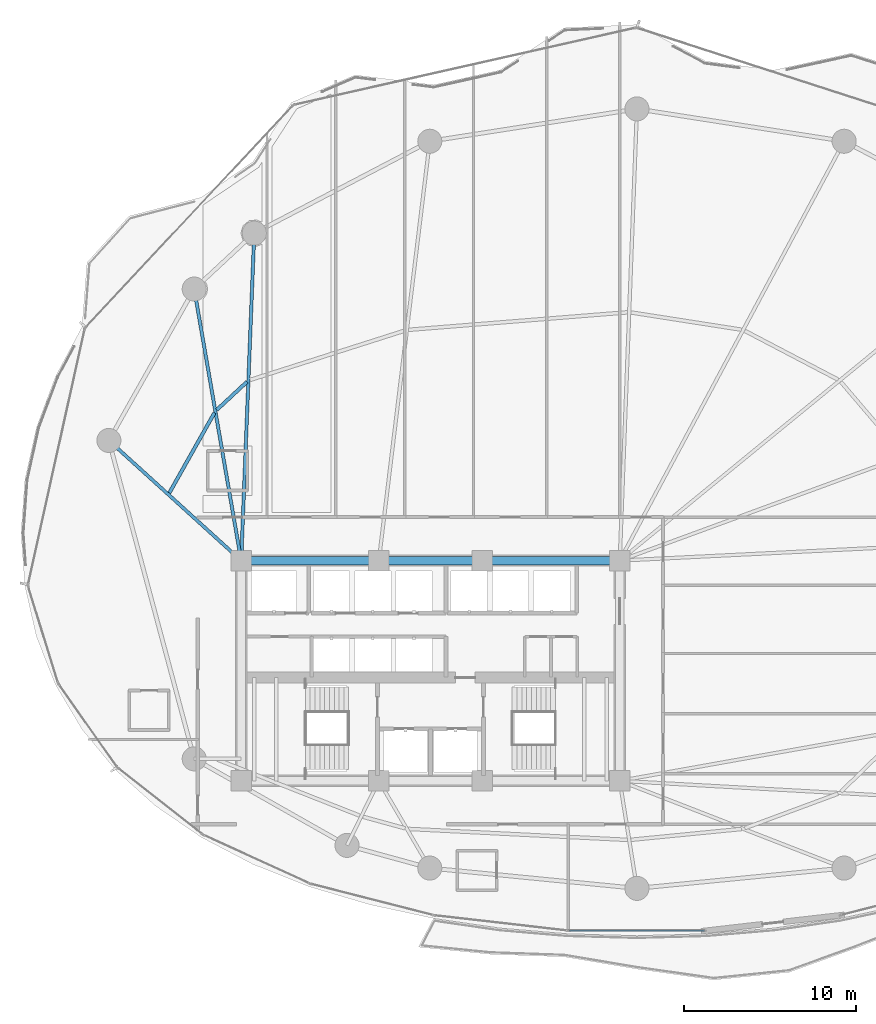
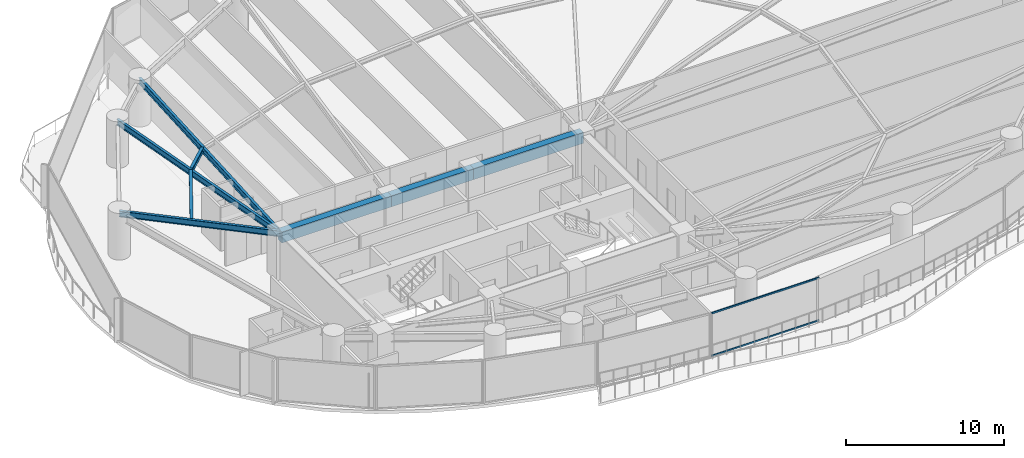
# One storey, part 9 of 33: 8 beams, 2 members, 1 element without a shape of its own.
"""IFC4 building model written with IfcOpenShell, lengths in metres."""

from ifc_helpers import new_model, si_unit, direction, frame, origin, origin_2d, place, context, subcontext, project, spatial, rectangle, hollow_rectangle, i_section, extrude, material, layer, layer_set, material_profile, profile_set, type_object, element, aggregate, save


model = new_model("IFC4")

# Units and contexts
model_context = context("Model", 3, precision=1e-05, world=origin(), true_north=direction((0.0, 1.0)))
body_context = subcontext(model_context, "Body", "Model", "MODEL_VIEW")
ifc_project = project(units=[si_unit("LENGTHUNIT", "METRE"), si_unit("AREAUNIT", "SQUARE_METRE"), si_unit("VOLUMEUNIT", "CUBIC_METRE"), si_unit("PLANEANGLEUNIT", "RADIAN"), si_unit("MASSUNIT", "GRAM", prefix="KILO")], contexts=[model_context])

# Site, building, storey
site_placement = place(None, origin())
site = spatial("IfcSite", under=ifc_project, at=site_placement, CompositionType="ELEMENT")
building_placement = place(site_placement, origin())
building = spatial("IfcBuilding", under=site, at=building_placement, Name="Kazevale Care Tower and Concert Hall", CompositionType="ELEMENT")
storey_placement = place(building_placement, frame((0.0, 0.0, 31.199951171875)))
storey = spatial("IfcBuildingStorey", under=building, at=storey_placement, Name="L07", CompositionType="ELEMENT", Elevation=31.199951171875)

# Curtain wall, members
ifc_material_1 = material(Name="Aluminium 6063-T6 and Low-E Glass", Category="aluminium")
ifc_layer = layer(ifc_material_1, 0.179931640625)
ifc_layer_set = layer_set([ifc_layer], Name="Aluminium 6063-T6 and Low-E Glass")
curtain_wall_type = type_object("IfcCurtainWallType", Name="Sheltered Concave Balcony Curtain Wall CW-5", PredefinedType="NOTDEFINED", material=ifc_layer_set)
curtain_wall_placement = place(storey_placement, origin())
curtain_wall = element("IfcCurtainWall", 1, at=curtain_wall_placement, inside=storey, type_object=curtain_wall_type, Name="cw:L07:f06", PredefinedType="NOTDEFINED")
ifc_material_2 = material(Name="Aluminium 6063-T6", Category="aluminium")
ifc_material_profile_1 = material_profile(ifc_material_2, hollow_rectangle(XDim=0.074951171875, YDim=0.1201171875, WallThickness=0.00390625, at=origin_2d()), Name="ALU75x120x4")
ifc_profile_set_1 = profile_set([ifc_material_profile_1], Name="Aluminium 6063-T6")
member_type = type_object("IfcMemberType", Name="CW-5 Transom ALU75x120x4", PredefinedType="USERDEFINED", material=ifc_profile_set_1)
member_1_placement = place(storey_placement, frame((48.923095703125, 14.889892578125, 0.03759765625), z_axis=(-1.0, 0.0, 0.0), x_axis=(0.0, -1.0, 0.0)))
member_1 = element("IfcMember", 2, at=member_1_placement, type_object=member_type, Name="CW-5 transom 1.1", ObjectType="TRANSOM", PredefinedType="USERDEFINED", context=body_context, shape_type="SweptSolid", body=[
    extrude(hollow_rectangle(XDim=0.074951171875, YDim=0.1201171875, WallThickness=0.00390625, at=origin_2d()), origin(), (0.0, 0.0, 1.0), 7.84619140625),
])
member_2_placement = place(storey_placement, frame((48.923095703125, 14.889892578125, 3.322509765625), z_axis=(-1.0, 0.0, 0.0), x_axis=(0.0, -1.0, 0.0)))
member_2 = element("IfcMember", 3, at=member_2_placement, type_object=member_type, Name="CW-5 transom 1.2", ObjectType="TRANSOM", PredefinedType="USERDEFINED", context=body_context, shape_type="SweptSolid", body=[
    extrude(hollow_rectangle(XDim=0.074951171875, YDim=0.1201171875, WallThickness=0.00390625, at=origin_2d()), origin(), (0.0, 0.0, 1.0), 7.84619140625),
])
aggregate(curtain_wall, [member_1, member_2])

# Beams
ifc_material_3 = material(Name="Concrete C60", Category="concrete")
ifc_material_profile_2 = material_profile(ifc_material_3, rectangle(XDim=0.5, YDim=0.85009765625, at=origin_2d()), Name="RC-B500x850")
ifc_profile_set_2 = profile_set([ifc_material_profile_2], Name="Concrete C60")
beam_type_1 = type_object("IfcBeamType", Name="Core Coupling Beam RC500x850", PredefinedType="LINTEL", material=ifc_profile_set_2)
beam_1_placement = place(storey_placement, frame((44.0, 36.39990234375, 2.93505859375), z_axis=(-1.0, 0.0, 0.0), x_axis=(0.0, -1.0, 0.0)))
element("IfcBeam", 4, at=beam_1_placement, inside=storey, type_object=beam_type_1, Name="beam:L07:coretie:5", PredefinedType="LINTEL", context=body_context, shape_type="SweptSolid", body=[
    extrude(rectangle(XDim=0.5, YDim=0.85009765625, at=origin_2d()), origin(), (0.0, 0.0, 1.0), 8.0),
])
beam_2_placement = place(storey_placement, frame((36.0, 36.39990234375, 2.93505859375), z_axis=(-1.0, 0.0, 0.0), x_axis=(0.0, -1.0, 0.0)))
element("IfcBeam", 5, at=beam_2_placement, inside=storey, type_object=beam_type_1, Name="beam:L07:coretie:6", PredefinedType="LINTEL", context=body_context, shape_type="SweptSolid", body=[
    extrude(rectangle(XDim=0.5, YDim=0.85009765625, at=origin_2d()), origin(), (0.0, 0.0, 1.0), 6.0),
])
beam_3_placement = place(storey_placement, frame((30.0, 36.39990234375, 2.93505859375), z_axis=(-1.0, 0.0, 0.0), x_axis=(0.0, -1.0, 0.0)))
element("IfcBeam", 6, at=beam_3_placement, inside=storey, type_object=beam_type_1, Name="beam:L07:coretie:7", PredefinedType="LINTEL", context=body_context, shape_type="SweptSolid", body=[
    extrude(rectangle(XDim=0.5, YDim=0.85009765625, at=origin_2d()), origin(), (0.0, 0.0, 1.0), 8.0),
])
ifc_material_4 = material(Name="Steel ASTM A572 Gr 50", Category="steel")
ifc_material_profile_3 = material_profile(ifc_material_4, i_section(OverallWidth=0.19091796875, OverallDepth=0.4599609375, WebThickness=0.010009765625, FlangeThickness=0.01611328125, at=origin_2d()), Name="W460x82")
ifc_profile_set_3 = profile_set([ifc_material_profile_3], Name="Steel ASTM A572 Gr 50")
beam_type_2 = type_object("IfcBeamType", Name="Radial Floor Beam W460x82", PredefinedType="BEAM", material=ifc_profile_set_3)
beam_4_placement = place(storey_placement, frame((22.0, 36.39990234375, 3.130126953125), z_axis=(0.039905581428, 0.999203455044, 0.0), x_axis=(-0.999203455044, 0.039905581428, 0.0)))
element("IfcBeam", 7, at=beam_4_placement, inside=storey, type_object=beam_type_2, Name="beam:L07:rad:07", PredefinedType="BEAM", context=body_context, shape_type="SweptSolid", body=[
    extrude(i_section(OverallWidth=0.19091796875, OverallDepth=0.4599609375, WebThickness=0.010009765625, FlangeThickness=0.01611328125, at=origin_2d()), origin(), (0.0, 0.0, 1.0), 19.045166015625),
])
beam_5_placement = place(storey_placement, frame((22.0, 36.39990234375, 3.130126953125), z_axis=(-0.170469986865, 0.985362868987, 0.0), x_axis=(-0.985362868987, -0.170469986865, 0.0)))
element("IfcBeam", 8, at=beam_5_placement, inside=storey, type_object=beam_type_2, Name="beam:L07:rad:08", PredefinedType="BEAM", context=body_context, shape_type="SweptSolid", body=[
    extrude(i_section(OverallWidth=0.19091796875, OverallDepth=0.4599609375, WebThickness=0.010009765625, FlangeThickness=0.01611328125, at=origin_2d()), origin(), (0.0, 0.0, 1.0), 16.014404296875),
])
beam_6_placement = place(storey_placement, frame((22.0, 36.39990234375, 3.130126953125), z_axis=(-0.740461073653, 0.672099247436, 0.0), x_axis=(-0.672099247436, -0.740461073653, 0.0)))
element("IfcBeam", 9, at=beam_6_placement, inside=storey, type_object=beam_type_2, Name="beam:L07:rad:09", PredefinedType="BEAM", context=body_context, shape_type="SweptSolid", body=[
    extrude(i_section(OverallWidth=0.19091796875, OverallDepth=0.4599609375, WebThickness=0.010009765625, FlangeThickness=0.01611328125, at=origin_2d()), origin(), (0.0, 0.0, 1.0), 10.38525390625),
])
ifc_material_profile_4 = material_profile(ifc_material_4, i_section(OverallWidth=0.205078125, OverallDepth=0.35400390625, WebThickness=0.009521484375, FlangeThickness=0.016845703125, at=origin_2d()), Name="W360x79")
ifc_profile_set_4 = profile_set([ifc_material_profile_4], Name="Steel ASTM A572 Gr 50")
beam_type_3 = type_object("IfcBeamType", Name="Secondary Floor Joist W360x79", PredefinedType="JOIST", material=ifc_profile_set_4)
beam_7_placement = place(storey_placement, frame((22.341064453125, 46.794921875, 3.18310546875), z_axis=(-0.73194965424, -0.68135871878, 0.0), x_axis=(0.68135871878, -0.73194965424, 0.0)))
element("IfcBeam", 10, at=beam_7_placement, inside=storey, type_object=beam_type_3, Name="beam:L07:joist:07", PredefinedType="JOIST", context=body_context, shape_type="SweptSolid", body=[
    extrude(i_section(OverallWidth=0.205078125, OverallDepth=0.35400390625, WebThickness=0.009521484375, FlangeThickness=0.016845703125, at=origin_2d()), origin(), (0.0, 0.0, 1.0), 2.412841796875),
])
beam_8_placement = place(storey_placement, frame((20.447021484375, 44.988037109375, 3.18310546875), z_axis=(-0.490956987312, -0.871183813331, 0.0), x_axis=(0.871183813331, -0.490956987312, 0.0)))
element("IfcBeam", 11, at=beam_8_placement, inside=storey, type_object=beam_type_3, Name="beam:L07:joist:08", PredefinedType="JOIST", context=body_context, shape_type="SweptSolid", body=[
    extrude(i_section(OverallWidth=0.205078125, OverallDepth=0.35400390625, WebThickness=0.009521484375, FlangeThickness=0.016845703125, at=origin_2d()), origin(), (0.0, 0.0, 1.0), 5.3466796875),
])

save(model, "model.ifc")
